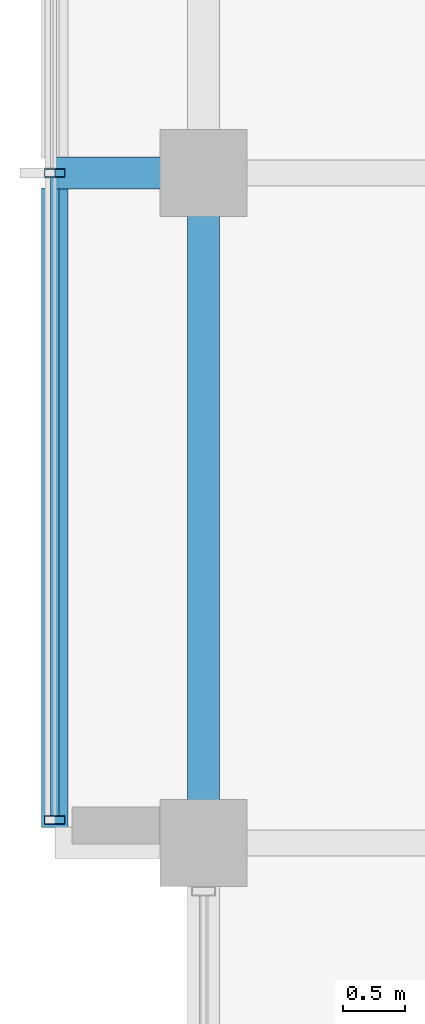
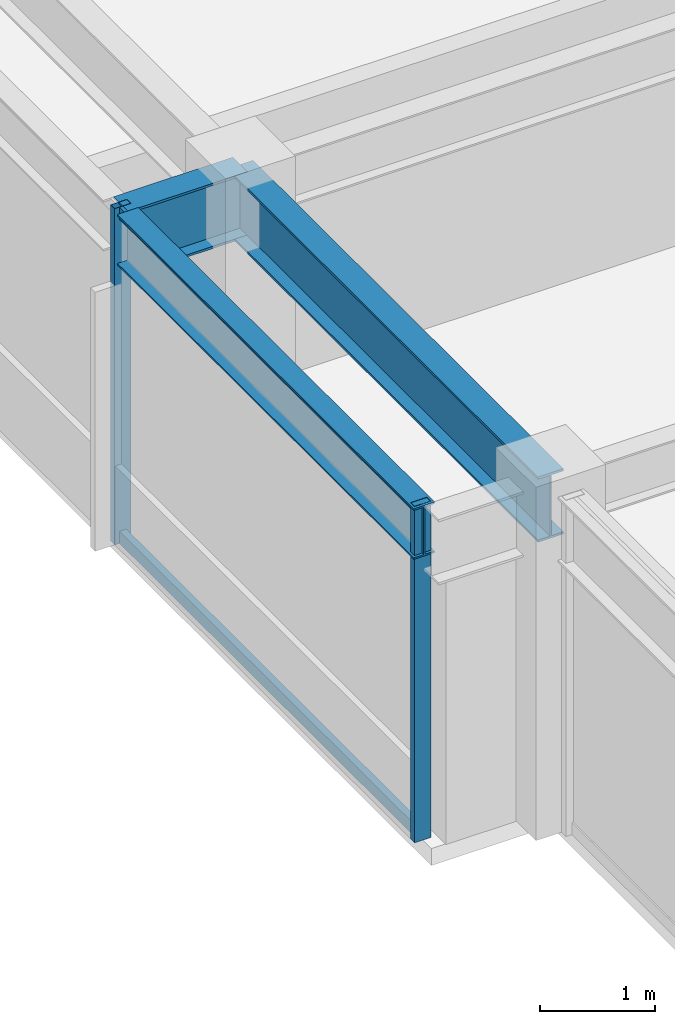
# One storey, part 8 of 32: 4 members, 3 beams, 1 element without a shape of its own.
"""IFC4 building model written with IfcOpenShell, lengths in metres."""

import ifcopenshell
import ifcopenshell.guid

model = None  # the IFC model being written
_history = None  # IfcOwnerHistory: only IFC2X3 demands one
_inside = {}  # id of a spatial element -> (the spatial element, [elements in it])
_under = {}  # id of a project, library or spatial element -> (it, [spatial elements below it])
_declared = {}  # id of a project -> (the project, [libraries it declares])
_typed = {}  # id of a type object -> (the type object, [elements of that type])
_made_of = {}  # id of a material, layer set ... -> (it, [elements and type objects made of it])


def new_model(schema):
    """Start an empty IFC model of exactly this schema.

    Asked for "IFC4X3", IfcOpenShell would pick the latest addendum, in which some entities
    have other attributes; the version numbers below select the first issue.
    IFC2X3 requires an IfcOwnerHistory on every rooted entity: one is made here for all.
    """
    global model, _history
    if schema == "IFC4X3":
        model = ifcopenshell.file(schema_version=(4, 3, 0, 0))
    else:
        model = ifcopenshell.file(schema=schema)
    _inside.clear()
    _under.clear()
    _declared.clear()
    _typed.clear()
    _made_of.clear()
    _history = None
    if model.schema == "IFC2X3":
        org = make("IfcOrganization", Name="unknown")
        user = make(
            "IfcPersonAndOrganization",
            ThePerson=make("IfcPerson", FamilyName="unknown"),
            TheOrganization=org,
        )
        app = make(
            "IfcApplication",
            ApplicationDeveloper=org,
            Version="unknown",
            ApplicationFullName="unknown",
            ApplicationIdentifier="unknown",
        )
        _history = make(
            "IfcOwnerHistory",
            OwningUser=user,
            OwningApplication=app,
            ChangeAction="ADDED",
            CreationDate=0,
        )
    return model


def make(cls, **values):
    """One entity of the class cls with the attributes given. An attribute that is None is left unset."""
    return model.create_entity(
        cls, **{name: value for name, value in values.items() if value is not None}
    )


def rooted(cls, **values):
    """An entity with a GlobalId (a new one), such as an element, a storey or a relation."""
    return make(cls, GlobalId=ifcopenshell.guid.new(), OwnerHistory=_history, **values)


def si_unit(unit_type, name, prefix=None):
    """IfcSIUnit, for example si_unit("LENGTHUNIT", "METRE", prefix="MILLI")."""
    return make("IfcSIUnit", UnitType=unit_type, Prefix=prefix, Name=name)


def assignment(units):
    """IfcUnitAssignment: the units of a project."""
    return None if units is None else make("IfcUnitAssignment", Units=units)


def point(xyz):
    """IfcCartesianPoint."""
    return None if xyz is None else make("IfcCartesianPoint", Coordinates=xyz)


def direction(xyz):
    """IfcDirection."""
    return None if xyz is None else make("IfcDirection", DirectionRatios=xyz)


def frame(location, z_axis=None, x_axis=None):
    """IfcAxis2Placement3D, a coordinate frame: its origin and axes. An axis left out is left unset."""
    return make(
        "IfcAxis2Placement3D",
        Location=point(location),
        Axis=direction(z_axis),
        RefDirection=direction(x_axis),
    )


def frame_2d(location, x_axis=None):
    """IfcAxis2Placement2D, a coordinate frame in the plane: its origin and x axis."""
    return make(
        "IfcAxis2Placement2D", Location=point(location), RefDirection=direction(x_axis)
    )


def origin():
    """The frame at (0, 0, 0) with its axes left unset."""
    return frame((0.0, 0.0, 0.0))


def origin_2d():
    """The frame at (0, 0) in the plane with its x axis left unset."""
    return frame_2d((0.0, 0.0))


def place(relative_to, where):
    """IfcLocalPlacement: puts the frame where relative to a parent placement (None: the world)."""
    return make(
        "IfcLocalPlacement", PlacementRelTo=relative_to, RelativePlacement=where
    )


def context(
    kind, dimensions, precision=None, world=None, true_north=None, identifier=None
):
    """IfcGeometricRepresentationContext, for example the 3D "Model" context."""
    return make(
        "IfcGeometricRepresentationContext",
        ContextIdentifier=identifier,
        ContextType=kind,
        CoordinateSpaceDimension=dimensions,
        Precision=precision,
        WorldCoordinateSystem=world,
        TrueNorth=true_north,
    )


def subcontext(parent, identifier, kind, view, scale=None):
    """IfcGeometricRepresentationSubContext, for example "Body" below "Model"."""
    return make(
        "IfcGeometricRepresentationSubContext",
        ContextIdentifier=identifier,
        ContextType=kind,
        ParentContext=parent,
        TargetScale=scale,
        TargetView=view,
    )


def project(units=None, contexts=None):
    """IfcProject with its units and contexts."""
    return rooted(
        "IfcProject",
        Name="project",
        RepresentationContexts=contexts,
        UnitsInContext=assignment(units),
    )


def spatial(cls, under=None, at=None, **own):
    """A site, building, storey or space (cls), placed at a placement, below another one or the project."""
    s = rooted(cls, ObjectPlacement=at, **own)
    if under is not None:
        _under.setdefault(under.id(), (under, []))[1].append(s)
    return s


def profile(cls, at=None, kind="AREA", **sizes):
    """A parametric profile (cls). Its sizes go by their IFC names, for example OverallWidth=200.0."""
    return make(cls, ProfileType=kind, Position=at, **sizes)


def hollow_rectangle(**sizes):
    """IfcRectangleHollowProfileDef."""
    return profile("IfcRectangleHollowProfileDef", **sizes)


def i_section(**sizes):
    """IfcIShapeProfileDef."""
    return profile("IfcIShapeProfileDef", **sizes)


def extrude(swept, where, along, depth):
    """IfcExtrudedAreaSolid: the profile swept, set in the frame where, extruded along a direction by depth."""
    return make(
        "IfcExtrudedAreaSolid",
        SweptArea=swept,
        Position=where,
        ExtrudedDirection=direction(along),
        Depth=depth,
    )


def shape(context_of_items, identifier, shape_type, items):
    """IfcShapeRepresentation: the items that make up one representation, for example the "Body"."""
    return make(
        "IfcShapeRepresentation",
        ContextOfItems=context_of_items,
        RepresentationIdentifier=identifier,
        RepresentationType=shape_type,
        Items=items,
    )


def material(Name=None, Category=None):
    """IfcMaterial."""
    return make("IfcMaterial", Name=Name, Category=Category)


def layer(
    of_material, thickness, ventilated=None, Name=None, Category=None, Priority=None
):
    """IfcMaterialLayer: one layer of a wall or slab, of a material (None: an air gap)."""
    return make(
        "IfcMaterialLayer",
        Material=of_material,
        LayerThickness=thickness,
        IsVentilated=ventilated,
        Name=Name,
        Category=Category,
        Priority=Priority,
    )


def layer_set(layers, Name=None):
    """IfcMaterialLayerSet."""
    return make("IfcMaterialLayerSet", MaterialLayers=layers, LayerSetName=Name)


def material_profile(
    of_material, cross_section, Name=None, Category=None, Priority=None
):
    """IfcMaterialProfile: a cross section and its material."""
    return make(
        "IfcMaterialProfile",
        Name=Name,
        Material=of_material,
        Profile=cross_section,
        Priority=Priority,
        Category=Category,
    )


def profile_set(profiles, Name=None, composite=None):
    """IfcMaterialProfileSet."""
    return make(
        "IfcMaterialProfileSet",
        Name=Name,
        MaterialProfiles=profiles,
        CompositeProfile=composite,
    )


def made_of(thing, what):
    """Note that an element or type object is made of a material, layer set ...; save() writes the relation."""
    if what is not None:
        _made_of.setdefault(what.id(), (what, []))[1].append(thing)
    return thing


def type_object(cls, material=None, **own):
    """A type object (cls), such as IfcWallType, which elements share."""
    return made_of(rooted(cls, **own), material)


def element(
    cls,
    number,
    at=None,
    inside=None,
    cuts=None,
    type_object=None,
    material=None,
    context=None,
    identifier="Body",
    shape_type=None,
    held_by="IfcProductDefinitionShape",
    body=None,
    shapes=None,
    **own,
):
    """One element of the class cls, such as IfcWall. Its Tag is "e" and its number.

    at: its placement. inside: the storey or other place that contains it. cuts: it is an
    opening in that element (IfcRelVoidsElement). A single representation is given by context,
    identifier, shape_type and body (its items); several are given by shapes. held_by: the class
    of the entity that holds the representations. save() writes the other relations.
    """
    e = rooted(cls, Tag="e%d" % number, ObjectPlacement=at, **own)
    if body is not None:
        shapes = [shape(context, identifier, shape_type, body)]
    if shapes is not None:
        e.Representation = make(held_by, Representations=shapes)
    if inside is not None:
        _inside.setdefault(inside.id(), (inside, []))[1].append(e)
    if cuts is not None:
        rooted(
            "IfcRelVoidsElement", RelatingBuildingElement=cuts, RelatedOpeningElement=e
        )
    if type_object is not None:
        _typed.setdefault(type_object.id(), (type_object, []))[1].append(e)
    return made_of(e, material)


def aggregate(whole, parts):
    """IfcRelAggregates: a whole, such as a stair, and the parts it consists of."""
    return rooted("IfcRelAggregates", RelatingObject=whole, RelatedObjects=parts)


def save(model, path):
    """Write the relations noted so far, then the file.

    IfcRelAggregates (storeys below a building ...), IfcRelContainedInSpatialStructure (elements
    in a storey), IfcRelDefinesByType, IfcRelAssociatesMaterial and IfcRelDeclares: one each for
    every whole, place, type object, material and project.
    """
    for whole, parts in _under.values():
        aggregate(whole, parts)
    for where, things in _inside.values():
        rooted(
            "IfcRelContainedInSpatialStructure",
            RelatedElements=things,
            RelatingStructure=where,
        )
    for kind, things in _typed.values():
        rooted("IfcRelDefinesByType", RelatedObjects=things, RelatingType=kind)
    for what, things in _made_of.values():
        rooted("IfcRelAssociatesMaterial", RelatedObjects=things, RelatingMaterial=what)
    for by, libraries in _declared.values():
        rooted("IfcRelDeclares", RelatingContext=by, RelatedDefinitions=libraries)
    model.write(path)


model = new_model("IFC4")

# Units and contexts
model_context = context("Model", 3, precision=1e-05, world=origin(), true_north=direction((0.0, 1.0)))
body_context = subcontext(model_context, "Body", "Model", "MODEL_VIEW")
ifc_project = project(units=[si_unit("LENGTHUNIT", "METRE"), si_unit("AREAUNIT", "SQUARE_METRE"), si_unit("VOLUMEUNIT", "CUBIC_METRE"), si_unit("PLANEANGLEUNIT", "RADIAN"), si_unit("MASSUNIT", "GRAM", prefix="KILO")], contexts=[model_context])

# Site, building, storey
site_placement = place(None, origin())
site = spatial("IfcSite", under=ifc_project, at=site_placement, CompositionType="ELEMENT")
building_placement = place(site_placement, origin())
building = spatial("IfcBuilding", under=site, at=building_placement, Name="Surkhivell Harbour Commons", CompositionType="ELEMENT")
storey_placement = place(building_placement, frame((0.0, 0.0, 311.25)))
storey = spatial("IfcBuildingStorey", under=building, at=storey_placement, Name="L81", CompositionType="ELEMENT", Elevation=311.25)

# Beams
ifc_material_1 = material(Name="Steel S460", Category="steel")
ifc_material_profile_1 = material_profile(ifc_material_1, i_section(OverallWidth=0.256103515625, OverallDepth=0.693115234375, WebThickness=0.014404296875, FlangeThickness=0.023681640625, at=origin_2d()), Name="UB686x254x170")
ifc_profile_set_1 = profile_set([ifc_material_profile_1], Name="Steel S460")
beam_type_1 = type_object("IfcBeamType", Name="BM-CNT-686", PredefinedType="BEAM", material=ifc_profile_set_1)
beam_1_placement = place(storey_placement, frame((-27.0, 0.0, 3.223388671875), z_axis=(-1.0, 0.0, 0.0), x_axis=(0.0, -1.0, 0.0)))
element("IfcBeam", 1, at=beam_1_placement, inside=storey, type_object=beam_type_1, Name="L81 Box Cantilever Outrigger (-27.0,0.0)", PredefinedType="BEAM", context=body_context, shape_type="SweptSolid", body=[
    extrude(i_section(OverallWidth=0.256103515625, OverallDepth=0.693115234375, WebThickness=0.014404296875, FlangeThickness=0.023681640625, at=origin_2d()), origin(), (0.0, 0.0, 1.0), 1.199951171875),
])
ifc_material_2 = material(Name="Steel S355", Category="steel")
ifc_material_profile_2 = material_profile(ifc_material_2, i_section(OverallWidth=0.2099609375, OverallDepth=0.537109375, WebThickness=0.0107421875, FlangeThickness=0.017333984375, at=origin_2d()), Name="UB533x210x101")
ifc_profile_set_2 = profile_set([ifc_material_profile_2], Name="Steel S355")
beam_type_2 = type_object("IfcBeamType", Name="BM-GRD-533B", PredefinedType="BEAM", material=ifc_profile_set_2)
beam_2_placement = place(storey_placement, frame((-28.199951171875, -5.278076171875, 3.301513671875), z_axis=(0.0, 1.0, 0.0), x_axis=(-1.0, 0.0, 0.0)))
element("IfcBeam", 2, at=beam_2_placement, inside=storey, type_object=beam_type_2, Name="L81 Box Rim Spandrel (-28.2,-5.4)", PredefinedType="BEAM", context=body_context, shape_type="SweptSolid", body=[
    extrude(i_section(OverallWidth=0.2099609375, OverallDepth=0.537109375, WebThickness=0.0107421875, FlangeThickness=0.017333984375, at=origin_2d()), origin(), (0.0, 0.0, 1.0), 5.156005859375),
])
ifc_material_profile_3 = material_profile(ifc_material_2, i_section(OverallWidth=0.256103515625, OverallDepth=0.693115234375, WebThickness=0.014404296875, FlangeThickness=0.023681640625, at=origin_2d()), Name="UB686x254x170")
ifc_profile_set_3 = profile_set([ifc_material_profile_3], Name="Steel S355")
beam_type_3 = type_object("IfcBeamType", Name="BM-SPN-686", PredefinedType="SPANDREL", material=ifc_profile_set_3)
beam_3_placement = place(storey_placement, frame((-27.0, -5.39990234375, 3.223388671875), z_axis=(0.0, 1.0, 0.0), x_axis=(-1.0, 0.0, 0.0)))
element("IfcBeam", 3, at=beam_3_placement, inside=storey, type_object=beam_type_3, Name="L81 Tube Spandrel (-27.0,-5.4)", PredefinedType="SPANDREL", context=body_context, shape_type="SweptSolid", body=[
    extrude(i_section(OverallWidth=0.256103515625, OverallDepth=0.693115234375, WebThickness=0.014404296875, FlangeThickness=0.023681640625, at=origin_2d()), origin(), (0.0, 0.0, 1.0), 5.39990234375),
])

# Curtain wall, members
ifc_material_3 = material(Name="Anodised pale-metal aluminium and insulated glazing", Category="aluminium")
ifc_layer = layer(ifc_material_3, 0.1650390625)
ifc_layer_set = layer_set([ifc_layer], Name="Anodised pale-metal aluminium and insulated glazing")
curtain_wall_type = type_object("IfcCurtainWallType", Name="CW-SYS-BOX", PredefinedType="NOTDEFINED", material=ifc_layer_set)
curtain_wall_placement = place(storey_placement, origin())
curtain_wall = element("IfcCurtainWall", 4, at=curtain_wall_placement, inside=storey, type_object=curtain_wall_type, Name="L81 Curtain Wall CW-L81-BOX02", PredefinedType="NOTDEFINED")
ifc_material_4 = material(Name="Champagne anodised aluminium alloy 6063-T6", Category="aluminium")
ifc_material_profile_4 = material_profile(ifc_material_4, hollow_rectangle(XDim=0.070068359375, YDim=0.1650390625, WallThickness=0.00341796875, at=origin_2d()), Name="ALU-MULL-70x165")
ifc_profile_set_4 = profile_set([ifc_material_profile_4], Name="Champagne anodised aluminium alloy 6063-T6")
member_type_1 = type_object("IfcMemberType", Name="CWM-165", PredefinedType="MULLION", material=ifc_profile_set_4)
member_1_placement = place(storey_placement, frame((-28.199951171875, -5.215087890625, 0.0), z_axis=(0.0, 0.0, 1.0), x_axis=(0.0, 1.0, 0.0)))
member_1 = element("IfcMember", 5, at=member_1_placement, type_object=member_type_1, Name="CW-BOX mullion 1", PredefinedType="MULLION", context=body_context, shape_type="SweptSolid", body=[
    extrude(hollow_rectangle(XDim=0.070068359375, YDim=0.1650390625, WallThickness=0.00341796875, at=origin_2d()), origin(), (0.0, 0.0, 1.0), 3.570068359375),
])
member_2_placement = place(storey_placement, frame((-28.199951171875, 0.0, 0.0), z_axis=(0.0, 0.0, 1.0), x_axis=(0.0, 1.0, 0.0)))
member_2 = element("IfcMember", 6, at=member_2_placement, type_object=member_type_1, Name="CW-BOX mullion 2", PredefinedType="MULLION", context=body_context, shape_type="SweptSolid", body=[
    extrude(hollow_rectangle(XDim=0.070068359375, YDim=0.1650390625, WallThickness=0.00341796875, at=origin_2d()), origin(), (0.0, 0.0, 1.0), 3.570068359375),
])
ifc_material_profile_5 = material_profile(ifc_material_4, hollow_rectangle(XDim=0.070068359375, YDim=0.1298828125, WallThickness=0.00341796875, at=origin_2d()), Name="ALU-TRAN-70x130")
ifc_profile_set_5 = profile_set([ifc_material_profile_5], Name="Champagne anodised aluminium alloy 6063-T6")
member_type_2 = type_object("IfcMemberType", Name="CWT-130", PredefinedType="USERDEFINED", material=ifc_profile_set_5)
member_3_placement = place(storey_placement, frame((-28.199951171875, -5.179931640625, 0.06494140625), z_axis=(0.0, 1.0, 0.0), x_axis=(-1.0, 0.0, 0.0)))
member_3 = element("IfcMember", 7, at=member_3_placement, type_object=member_type_2, Name="CW-BOX transom 1.1", ObjectType="TRANSOM", PredefinedType="USERDEFINED", context=body_context, shape_type="SweptSolid", body=[
    extrude(hollow_rectangle(XDim=0.070068359375, YDim=0.1298828125, WallThickness=0.00341796875, at=origin_2d()), origin(), (0.0, 0.0, 1.0), 5.14501953125),
])
member_4_placement = place(storey_placement, frame((-28.199951171875, -5.179931640625, 3.5048828125), z_axis=(0.0, 1.0, 0.0), x_axis=(-1.0, 0.0, 0.0)))
member_4 = element("IfcMember", 8, at=member_4_placement, type_object=member_type_2, Name="CW-BOX transom 1.2", ObjectType="TRANSOM", PredefinedType="USERDEFINED", context=body_context, shape_type="SweptSolid", body=[
    extrude(hollow_rectangle(XDim=0.070068359375, YDim=0.1298828125, WallThickness=0.00341796875, at=origin_2d()), origin(), (0.0, 0.0, 1.0), 5.14501953125),
])
aggregate(curtain_wall, [member_1, member_2, member_3, member_4])

save(model, "model.ifc")
